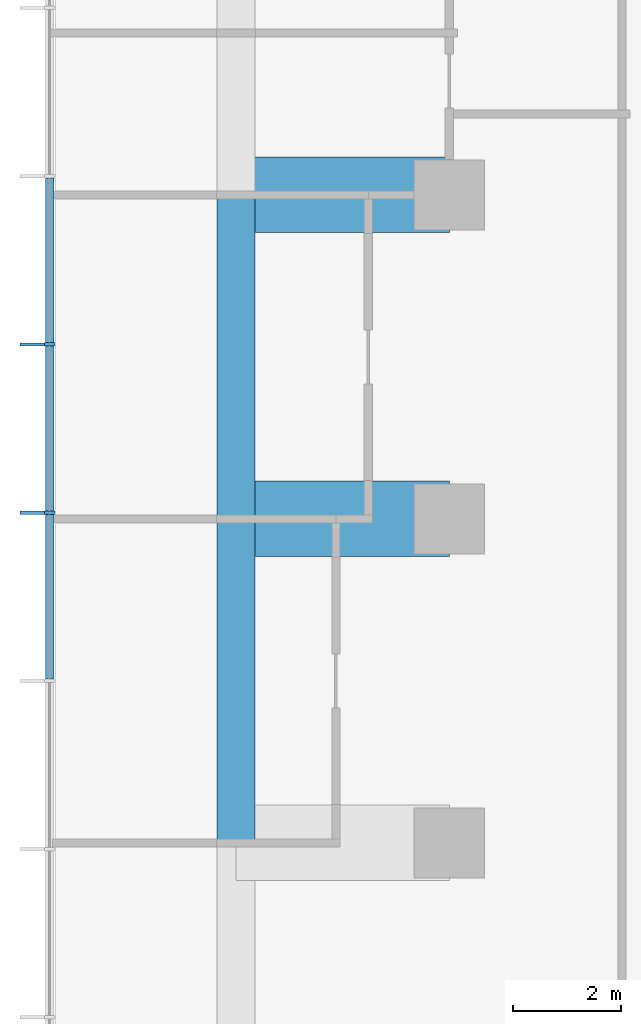
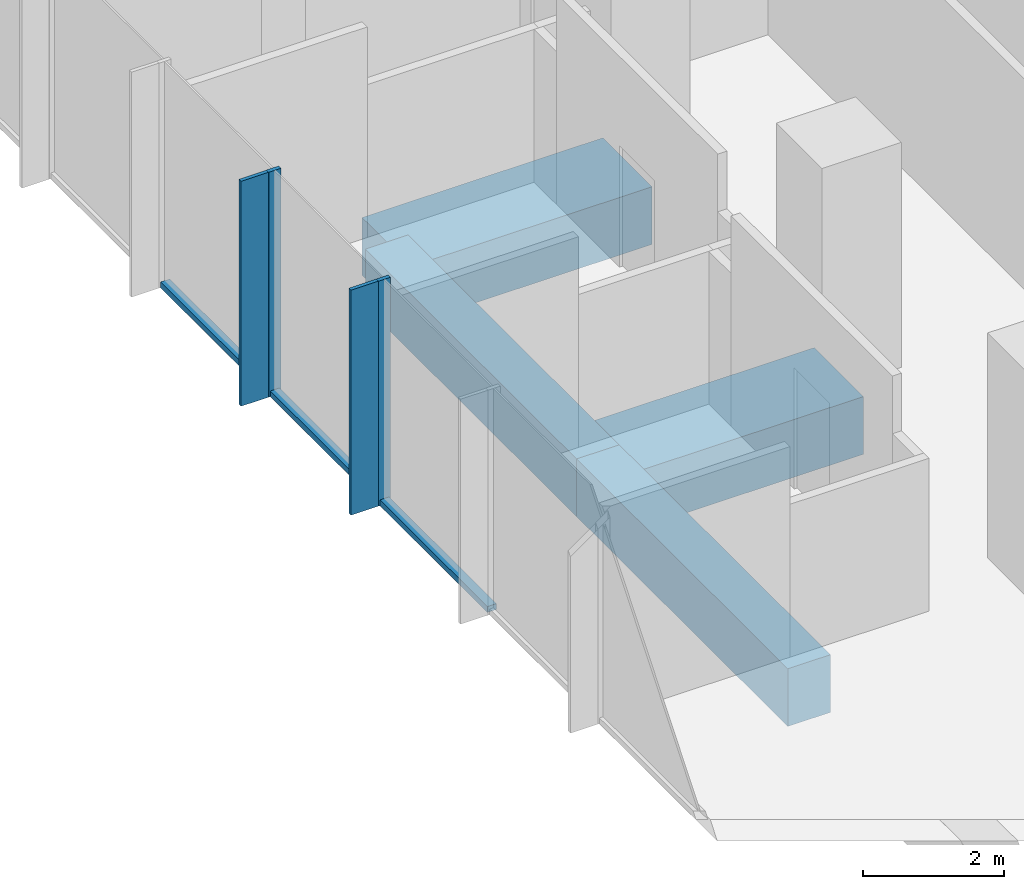
# One storey, part 3 of 11: 7 members, 4 beams, 1 element without a shape of its own.
"""IFC4 building model written with IfcOpenShell, lengths in metres."""

from ifc_helpers import new_model, si_unit, direction, frame, origin, origin_2d, place, context, subcontext, project, spatial, rectangle, extrude, material, layer, layer_set, material_profile, profile_set, type_object, element, aggregate, save


model = new_model("IFC4")

# Units and contexts
model_context = context("Model", 3, precision=1e-05, world=origin(), true_north=direction((0.0, 1.0)))
body_context = subcontext(model_context, "Body", "Model", "MODEL_VIEW")
ifc_project = project(units=[si_unit("LENGTHUNIT", "METRE"), si_unit("AREAUNIT", "SQUARE_METRE"), si_unit("VOLUMEUNIT", "CUBIC_METRE"), si_unit("PLANEANGLEUNIT", "RADIAN"), si_unit("MASSUNIT", "GRAM", prefix="KILO")], contexts=[model_context])

# Site, building, storey
site_placement = place(None, origin())
site = spatial("IfcSite", under=ifc_project, at=site_placement, CompositionType="ELEMENT")
building_placement = place(site_placement, origin())
building = spatial("IfcBuilding", under=site, at=building_placement, Name="Highveld Stack Headquarters", CompositionType="ELEMENT")
storey_placement = place(building_placement, frame((0.0, 0.0, 216.199951171875)))
storey = spatial("IfcBuildingStorey", under=building, at=storey_placement, Name="L53", CompositionType="ELEMENT", Elevation=216.199951171875)

# Beams
ifc_material_1 = material(Name="Concrete C60/75", Category="concrete")
ifc_material_profile_1 = material_profile(ifc_material_1, rectangle(XDim=1.39990234375, YDim=1.0, at=origin_2d()), Name="RC 1400x1000")
ifc_profile_set_1 = profile_set([ifc_material_profile_1], Name="Concrete C60/75")
beam_type_1 = type_object("IfcBeamType", Name="CANTILEVER RIB RC 1400x1000", PredefinedType="USERDEFINED", material=ifc_profile_set_1)
for number, where, z_axis, x_axis, name in (
    (1, (-12.0, 6.0, -0.75), (-1.0, 0.0, 0.0), (0.0, -1.0, 0.0), "Cantilever rib 4/F L53"),
    (2, (-12.0, 12.0, -0.75), (-1.0, 0.0, 0.0), (0.0, -1.0, 0.0), "Cantilever rib 4/G L53"),
):
    element("IfcBeam", number, at=place(storey_placement, frame(where, z_axis=z_axis, x_axis=x_axis)), inside=storey, type_object=beam_type_1, Name=name, ObjectType="CANTILEVER RIB", PredefinedType="USERDEFINED", context=body_context, shape_type="SweptSolid", body=[
        extrude(rectangle(XDim=1.39990234375, YDim=1.0, at=origin_2d()), origin(), (0.0, 0.0, 1.0), 3.949951171875),
    ])

# Curtain wall, members
ifc_material_2 = material(Name="Aluminium bronze anodised", Category="aluminium")
ifc_layer = layer(ifc_material_2, 0.199951171875)
ifc_layer_set = layer_set([ifc_layer], Name="Aluminium bronze anodised")
curtain_wall_type = type_object("IfcCurtainWallType", Name="CW1 TOWER UNITISED CURTAIN WALL", PredefinedType="NOTDEFINED", material=ifc_layer_set)
curtain_wall_placement = place(storey_placement, origin())
curtain_wall = element("IfcCurtainWall", 3, at=curtain_wall_placement, inside=storey, type_object=curtain_wall_type, Name="Curtain wall CW1 L53 W", PredefinedType="NOTDEFINED")
ifc_material_3 = material(Name="Aluminium bronze anodised", Category="aluminium")
ifc_material_profile_2 = material_profile(ifc_material_3, rectangle(XDim=0.449951171875, YDim=0.06005859375, at=origin_2d()), Name="FIN 450x60")
ifc_profile_set_2 = profile_set([ifc_material_profile_2], Name="Aluminium bronze anodised")
member_type_1 = type_object("IfcMemberType", Name="CW1 BRONZE FIN 450x60", PredefinedType="USERDEFINED", material=ifc_profile_set_2)
member_1_placement = place(storey_placement, frame((-19.72509765625, 9.23193359375, 0.0), z_axis=(0.0, 0.0, 1.0), x_axis=(1.0, 0.0, 0.0)))
member_1 = element("IfcMember", 4, at=member_1_placement, type_object=member_type_1, Name="CW1 fin L53 4", ObjectType="FIN", PredefinedType="USERDEFINED", context=body_context, shape_type="SweptSolid", body=[
    extrude(rectangle(XDim=0.449951171875, YDim=0.06005859375, at=origin_2d()), origin(), (0.0, 0.0, 1.0), 3.900146484375),
])
member_2_placement = place(storey_placement, frame((-19.72509765625, 6.115966796875, 0.0), z_axis=(0.0, 0.0, 1.0), x_axis=(1.0, 0.0, 0.0)))
member_2 = element("IfcMember", 5, at=member_2_placement, type_object=member_type_1, Name="CW1 fin L53 5", ObjectType="FIN", PredefinedType="USERDEFINED", context=body_context, shape_type="SweptSolid", body=[
    extrude(rectangle(XDim=0.449951171875, YDim=0.06005859375, at=origin_2d()), origin(), (0.0, 0.0, 1.0), 3.900146484375),
])
ifc_material_4 = material(Name="Aluminium bronze anodised", Category="aluminium")
ifc_material_profile_3 = material_profile(ifc_material_4, rectangle(XDim=0.199951171875, YDim=0.06494140625, at=origin_2d()), Name="CW1 MULLION 65x200")
ifc_profile_set_3 = profile_set([ifc_material_profile_3], Name="Aluminium bronze anodised")
member_type_2 = type_object("IfcMemberType", Name="CW1 MULLION 65x200", PredefinedType="MULLION", material=ifc_profile_set_3)
member_3_placement = place(storey_placement, frame((-19.39990234375, 9.23193359375, 0.0), z_axis=(0.0, 0.0, 1.0), x_axis=(1.0, 0.0, 0.0)))
member_3 = element("IfcMember", 6, at=member_3_placement, type_object=member_type_2, Name="CW1 mullion L53 4", PredefinedType="MULLION", context=body_context, shape_type="SweptSolid", body=[
    extrude(rectangle(XDim=0.199951171875, YDim=0.06494140625, at=origin_2d()), origin(), (0.0, 0.0, 1.0), 3.900146484375),
])
member_4_placement = place(storey_placement, frame((-19.39990234375, 6.115966796875, 0.0), z_axis=(0.0, 0.0, 1.0), x_axis=(1.0, 0.0, 0.0)))
member_4 = element("IfcMember", 7, at=member_4_placement, type_object=member_type_2, Name="CW1 mullion L53 5", PredefinedType="MULLION", context=body_context, shape_type="SweptSolid", body=[
    extrude(rectangle(XDim=0.199951171875, YDim=0.06494140625, at=origin_2d()), origin(), (0.0, 0.0, 1.0), 3.900146484375),
])
ifc_material_5 = material(Name="Aluminium bronze anodised", Category="aluminium")
ifc_material_profile_4 = material_profile(ifc_material_5, rectangle(XDim=0.14990234375, YDim=0.10009765625, at=origin_2d()), Name="CW1 TRANSOM 150x100")
ifc_profile_set_4 = profile_set([ifc_material_profile_4], Name="Aluminium bronze anodised")
member_type_3 = type_object("IfcMemberType", Name="CW1 STACK TRANSOM 150x100", PredefinedType="USERDEFINED", material=ifc_profile_set_4)
member_5_placement = place(storey_placement, frame((-19.39990234375, 12.3154296875, 0.050048828125), z_axis=(0.0, -1.0, 0.0), x_axis=(1.0, 0.0, 0.0)))
member_5 = element("IfcMember", 8, at=member_5_placement, type_object=member_type_3, Name="CW1 transom L53 3.1", ObjectType="TRANSOM", PredefinedType="USERDEFINED", context=body_context, shape_type="SweptSolid", body=[
    extrude(rectangle(XDim=0.14990234375, YDim=0.10009765625, at=origin_2d()), origin(), (0.0, 0.0, 1.0), 3.051025390625),
])
member_6_placement = place(storey_placement, frame((-19.39990234375, 9.199462890625, 0.050048828125), z_axis=(0.0, -1.0, 0.0), x_axis=(1.0, 0.0, 0.0)))
member_6 = element("IfcMember", 9, at=member_6_placement, type_object=member_type_3, Name="CW1 transom L53 4.1", ObjectType="TRANSOM", PredefinedType="USERDEFINED", context=body_context, shape_type="SweptSolid", body=[
    extrude(rectangle(XDim=0.14990234375, YDim=0.10009765625, at=origin_2d()), origin(), (0.0, 0.0, 1.0), 3.051025390625),
])
member_7_placement = place(storey_placement, frame((-19.39990234375, 6.08349609375, 0.050048828125), z_axis=(0.0, -1.0, 0.0), x_axis=(1.0, 0.0, 0.0)))
member_7 = element("IfcMember", 10, at=member_7_placement, type_object=member_type_3, Name="CW1 transom L53 5.1", ObjectType="TRANSOM", PredefinedType="USERDEFINED", context=body_context, shape_type="SweptSolid", body=[
    extrude(rectangle(XDim=0.14990234375, YDim=0.10009765625, at=origin_2d()), origin(), (0.0, 0.0, 1.0), 3.051025390625),
])
aggregate(curtain_wall, [member_3, member_1, member_4, member_2, member_5, member_6, member_7])

# Beams
ifc_material_6 = material(Name="Concrete C60/75", Category="concrete")
ifc_material_profile_5 = material_profile(ifc_material_6, rectangle(XDim=0.699951171875, YDim=1.0, at=origin_2d()), Name="RC 700x1000")
ifc_profile_set_5 = profile_set([ifc_material_profile_5], Name="Concrete C60/75")
beam_type_2 = type_object("IfcBeamType", Name="RIB TIP BEAM RC 700x1000", PredefinedType="SPANDREL", material=ifc_profile_set_5)
for number, where, z_axis, x_axis, name in (
    (11, (-15.949951171875, 0.0, -0.75), (0.0, 1.0, 0.0), (-1.0, 0.0, 0.0), "Rib tip beam 4/E to 4/F L53"),
    (12, (-15.949951171875, 6.0, -0.75), (0.0, 1.0, 0.0), (-1.0, 0.0, 0.0), "Rib tip beam 4/F to 4/G L53"),
):
    element("IfcBeam", number, at=place(storey_placement, frame(where, z_axis=z_axis, x_axis=x_axis)), inside=storey, type_object=beam_type_2, Name=name, PredefinedType="SPANDREL", context=body_context, shape_type="SweptSolid", body=[
        extrude(rectangle(XDim=0.699951171875, YDim=1.0, at=origin_2d()), origin(), (0.0, 0.0, 1.0), 6.0),
    ])

save(model, "model.ifc")
